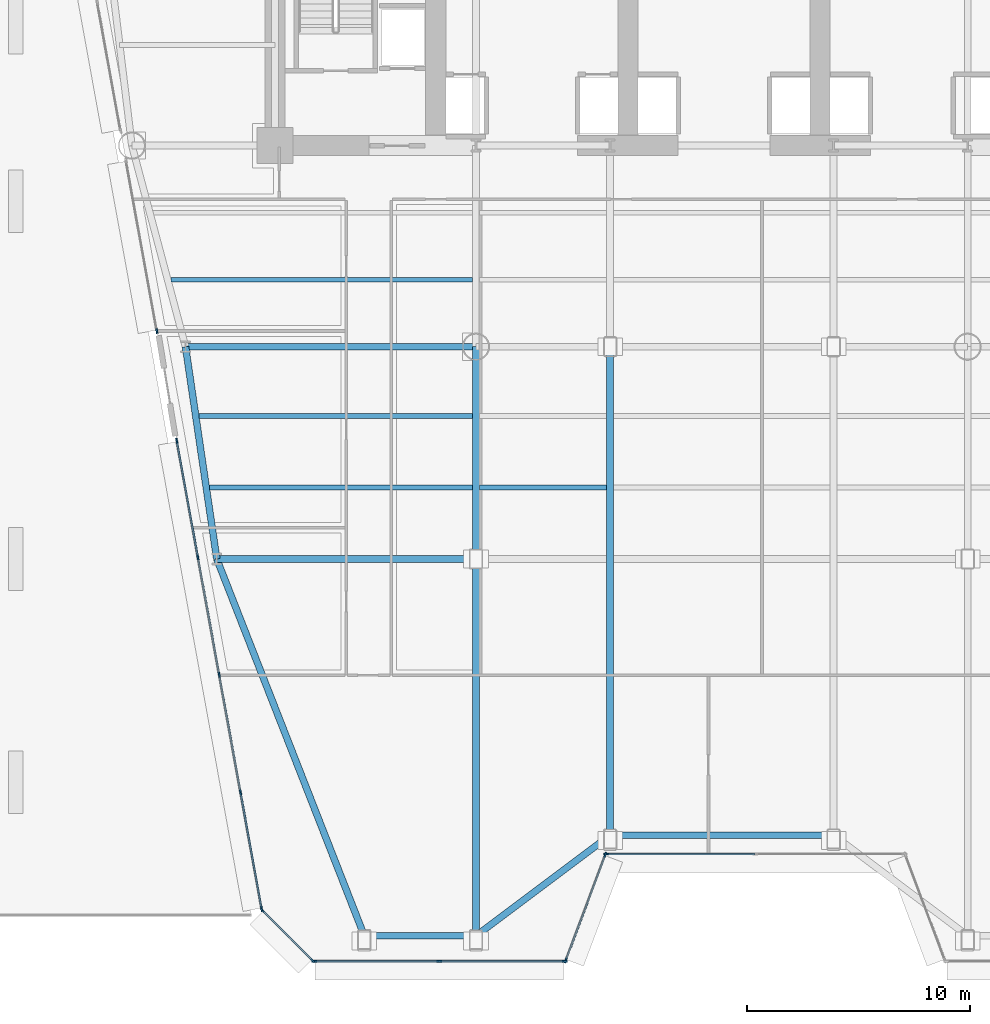
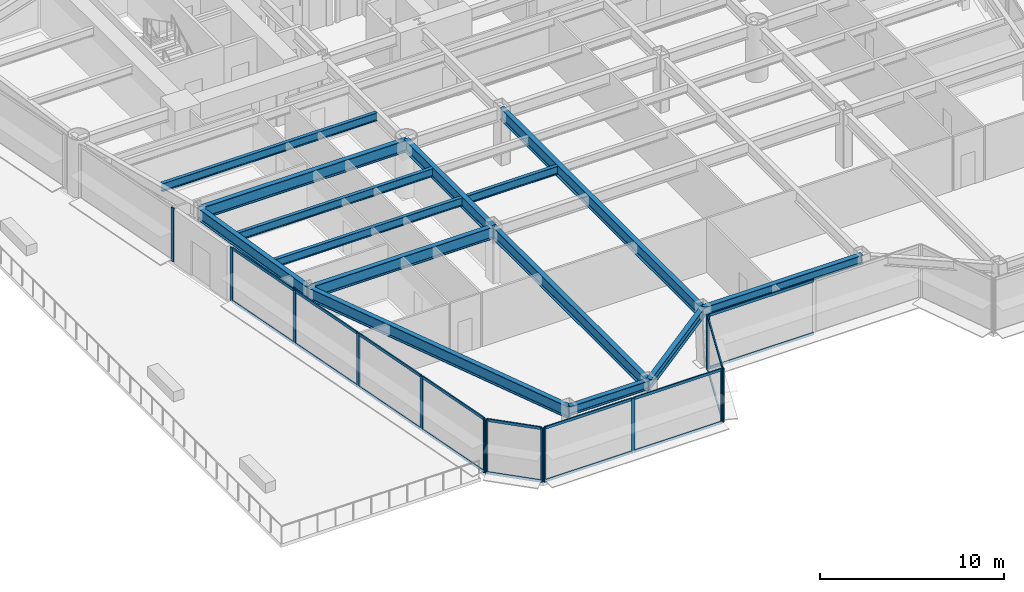
# One storey, part 2 of 14: 32 members, 14 beams, 6 elements without a shape of their own.
"""IFC4 building model written with IfcOpenShell, lengths in metres."""

from ifc_helpers import new_model, si_unit, direction, frame, origin, origin_2d, place, context, subcontext, project, spatial, rectangle, i_section, extrude, source, transform, mapped, material, layer, layer_set, material_profile, profile_set, type_object, element, aggregate, save


model = new_model("IFC4")

# Units and contexts
model_context = context("Model", 3, precision=1e-05, world=origin(), true_north=direction((0.0, 1.0)))
body_context = subcontext(model_context, "Body", "Model", "MODEL_VIEW")
ifc_project = project(units=[si_unit("LENGTHUNIT", "METRE"), si_unit("AREAUNIT", "SQUARE_METRE"), si_unit("VOLUMEUNIT", "CUBIC_METRE"), si_unit("PLANEANGLEUNIT", "RADIAN"), si_unit("MASSUNIT", "GRAM", prefix="KILO")], contexts=[model_context])

# Site, building, storey
site_placement = place(None, origin())
site = spatial("IfcSite", under=ifc_project, at=site_placement, CompositionType="ELEMENT")
building_placement = place(site_placement, origin())
building = spatial("IfcBuilding", under=site, at=building_placement, Name="Vaeldorn Concourse Tower", CompositionType="ELEMENT")
storey_placement = place(building_placement, frame((0.0, 0.0, 18.800048828125)))
storey = spatial("IfcBuildingStorey", under=building, at=storey_placement, Name="L04", CompositionType="ELEMENT", Elevation=18.800048828125)

# Beams
ifc_material_1 = material(Name="Steel S355", Category="steel")
ifc_material_profile_1 = material_profile(ifc_material_1, i_section(OverallWidth=0.300048828125, OverallDepth=0.800048828125, WebThickness=0.017578125, FlangeThickness=0.032958984375, FilletRadius=0.030029296875, at=origin_2d()), Name="HEB 800")
ifc_profile_set_1 = profile_set([ifc_material_profile_1], Name="Steel S355")
beam_type_1 = type_object("IfcBeamType", Name="BM-PG-HEB800", PredefinedType="BEAM", material=ifc_profile_set_1)
shared_shape_1 = source(origin(), body_context, "Body", "SweptSolid", [
    extrude(i_section(OverallWidth=0.300048828125, OverallDepth=0.800048828125, WebThickness=0.017578125, FlangeThickness=0.032958984375, FilletRadius=0.030029296875, at=origin_2d()), origin(), (0.0, 0.0, 1.0), 13.0),
])
beam_1_placement = place(storey_placement, frame((10.0, 27.5, 3.179931640625), z_axis=(1.0, 0.0, 0.0), x_axis=(0.0, 1.0, 0.0)))
element("IfcBeam", 1, at=beam_1_placement, inside=storey, type_object=beam_type_1, Name="Beam BM-L04-C-FLW1-C-TW1", PredefinedType="BEAM", context=body_context, shape_type="MappedRepresentation", body=[
    mapped(shared_shape_1, transform((0.0, 0.0, 0.0), scale=1.0)),
])
ifc_material_profile_2 = material_profile(ifc_material_1, i_section(OverallWidth=0.300048828125, OverallDepth=0.60009765625, WebThickness=0.015380859375, FlangeThickness=0.030029296875, FilletRadius=0.027099609375, at=origin_2d()), Name="HEB 600")
ifc_profile_set_2 = profile_set([ifc_material_profile_2], Name="Steel S355")
beam_type_2 = type_object("IfcBeamType", Name="BM-SP-HEB600", PredefinedType="SPANDREL", material=ifc_profile_set_2)
shared_shape_2 = source(origin(), body_context, "Body", "SweptSolid", [
    extrude(i_section(OverallWidth=0.300048828125, OverallDepth=0.60009765625, WebThickness=0.015380859375, FlangeThickness=0.030029296875, FilletRadius=0.027099609375, at=origin_2d()), origin(), (0.0, 0.0, 1.0), 5.0),
])
beam_2_placement = place(storey_placement, frame((18.0, 1.13916015625, 3.280029296875), z_axis=(1.0, 0.0, 0.0), x_axis=(0.0, 1.0, 0.0)))
element("IfcBeam", 2, at=beam_2_placement, inside=storey, type_object=beam_type_2, Name="Beam BM-L04-C-SF1-C-SF2", PredefinedType="SPANDREL", context=body_context, shape_type="MappedRepresentation", body=[
    mapped(shared_shape_2, transform((0.0, 0.0, 0.0), scale=1.0)),
])
shared_shape_3 = source(origin(), body_context, "Body", "SweptSolid", [
    extrude(i_section(OverallWidth=0.300048828125, OverallDepth=0.60009765625, WebThickness=0.015380859375, FlangeThickness=0.030029296875, FilletRadius=0.027099609375, at=origin_2d()), origin(), (0.0, 0.0, 1.0), 7.5),
])
beam_3_placement = place(storey_placement, frame((23.0, 1.13916015625, 3.280029296875), z_axis=(0.8, 0.6, 0.0), x_axis=(-0.6, 0.8, 0.0)))
element("IfcBeam", 3, at=beam_3_placement, inside=storey, type_object=beam_type_2, Name="Beam BM-L04-C-SF2-C-SF3", PredefinedType="SPANDREL", context=body_context, shape_type="MappedRepresentation", body=[
    mapped(shared_shape_3, transform((0.0, 0.0, 0.0), scale=1.0)),
])
shared_shape_4 = source(origin(), body_context, "Body", "SweptSolid", [
    extrude(i_section(OverallWidth=0.300048828125, OverallDepth=0.60009765625, WebThickness=0.015380859375, FlangeThickness=0.030029296875, FilletRadius=0.027099609375, at=origin_2d()), origin(), (0.0, 0.0, 1.0), 10.0),
])
beam_4_placement = place(storey_placement, frame((29.0, 5.63916015625, 3.280029296875), z_axis=(1.0, 0.0, 0.0), x_axis=(0.0, 1.0, 0.0)))
element("IfcBeam", 4, at=beam_4_placement, inside=storey, type_object=beam_type_2, Name="Beam BM-L04-C-SF3-C-SF4", PredefinedType="SPANDREL", context=body_context, shape_type="MappedRepresentation", body=[
    mapped(shared_shape_4, transform((0.0, 0.0, 0.0), scale=1.0)),
])
shared_shape_5 = source(origin(), body_context, "Body", "SweptSolid", [
    extrude(i_section(OverallWidth=0.300048828125, OverallDepth=0.800048828125, WebThickness=0.017578125, FlangeThickness=0.032958984375, FilletRadius=0.030029296875, at=origin_2d()), origin(), (0.0, 0.0, 1.0), 9.6025390625),
])
beam_5_placement = place(storey_placement, frame((10.0, 27.5, 3.179931640625), z_axis=(0.145783835977, -0.989316467652, 0.0), x_axis=(0.989316467652, 0.145783835977, 0.0)))
element("IfcBeam", 5, at=beam_5_placement, inside=storey, type_object=beam_type_1, Name="Beam BM-L04-C-FLW1-C-FLW2", PredefinedType="BEAM", context=body_context, shape_type="MappedRepresentation", body=[
    mapped(shared_shape_5, transform((0.0, 0.0, 0.0), scale=1.0)),
])
shared_shape_6 = source(origin(), body_context, "Body", "SweptSolid", [
    extrude(i_section(OverallWidth=0.300048828125, OverallDepth=0.800048828125, WebThickness=0.017578125, FlangeThickness=0.032958984375, FilletRadius=0.030029296875, at=origin_2d()), origin(), (0.0, 0.0, 1.0), 11.60009765625),
])
beam_6_placement = place(storey_placement, frame((11.39990234375, 18.0, 3.179931640625), z_axis=(1.0, 0.0, 0.0), x_axis=(0.0, 1.0, 0.0)))
element("IfcBeam", 6, at=beam_6_placement, inside=storey, type_object=beam_type_1, Name="Beam BM-L04-C-FLW2-C-TW5", PredefinedType="BEAM", context=body_context, shape_type="MappedRepresentation", body=[
    mapped(shared_shape_6, transform((0.0, 0.0, 0.0), scale=1.0)),
])
shared_shape_7 = source(origin(), body_context, "Body", "SweptSolid", [
    extrude(i_section(OverallWidth=0.300048828125, OverallDepth=0.800048828125, WebThickness=0.017578125, FlangeThickness=0.032958984375, FilletRadius=0.030029296875, at=origin_2d()), origin(), (0.0, 0.0, 1.0), 9.5),
])
beam_7_placement = place(storey_placement, frame((23.0, 18.0, 3.179931640625), z_axis=(0.0, 1.0, 0.0), x_axis=(-1.0, 0.0, 0.0)))
element("IfcBeam", 7, at=beam_7_placement, inside=storey, type_object=beam_type_1, Name="Beam BM-L04-C-TW5-C-TW1", PredefinedType="BEAM", context=body_context, shape_type="MappedRepresentation", body=[
    mapped(shared_shape_7, transform((0.0, 0.0, 0.0), scale=1.0)),
])
shared_shape_8 = source(origin(), body_context, "Body", "SweptSolid", [
    extrude(i_section(OverallWidth=0.300048828125, OverallDepth=0.800048828125, WebThickness=0.017578125, FlangeThickness=0.032958984375, FilletRadius=0.030029296875, at=origin_2d()), origin(), (0.0, 0.0, 1.0), 18.106689453125),
])
beam_8_placement = place(storey_placement, frame((18.0, 1.13916015625, 3.179931640625), z_axis=(-0.36451322626, 0.931198210845, 0.0), x_axis=(-0.931198210845, -0.36451322626, 0.0)))
element("IfcBeam", 8, at=beam_8_placement, inside=storey, type_object=beam_type_1, Name="Beam BM-L04-C-SF1-C-FLW2", PredefinedType="BEAM", context=body_context, shape_type="MappedRepresentation", body=[
    mapped(shared_shape_8, transform((0.0, 0.0, 0.0), scale=1.0)),
])
shared_shape_9 = source(origin(), body_context, "Body", "SweptSolid", [
    extrude(i_section(OverallWidth=0.300048828125, OverallDepth=0.800048828125, WebThickness=0.017578125, FlangeThickness=0.032958984375, FilletRadius=0.030029296875, at=origin_2d()), origin(), (0.0, 0.0, 1.0), 16.86083984375),
])
beam_9_placement = place(storey_placement, frame((23.0, 1.13916015625, 3.179931640625), z_axis=(0.0, 1.0, 0.0), x_axis=(-1.0, 0.0, 0.0)))
element("IfcBeam", 9, at=beam_9_placement, inside=storey, type_object=beam_type_1, Name="Beam BM-L04-C-SF2-C-TW5", PredefinedType="BEAM", context=body_context, shape_type="MappedRepresentation", body=[
    mapped(shared_shape_9, transform((0.0, 0.0, 0.0), scale=1.0)),
])
shared_shape_10 = source(origin(), body_context, "Body", "SweptSolid", [
    extrude(i_section(OverallWidth=0.300048828125, OverallDepth=0.800048828125, WebThickness=0.017578125, FlangeThickness=0.032958984375, FilletRadius=0.030029296875, at=origin_2d()), origin(), (0.0, 0.0, 1.0), 21.86083984375),
])
beam_10_placement = place(storey_placement, frame((29.0, 5.63916015625, 3.179931640625), z_axis=(0.0, 1.0, 0.0), x_axis=(-1.0, 0.0, 0.0)))
element("IfcBeam", 10, at=beam_10_placement, inside=storey, type_object=beam_type_1, Name="Beam BM-L04-C-SF3-C-TW2", PredefinedType="BEAM", context=body_context, shape_type="MappedRepresentation", body=[
    mapped(shared_shape_10, transform((0.0, 0.0, 0.0), scale=1.0)),
])
ifc_material_profile_3 = material_profile(ifc_material_1, i_section(OverallWidth=0.2099609375, OverallDepth=0.550048828125, WebThickness=0.010986328125, FlangeThickness=0.01708984375, FilletRadius=0.02392578125, at=origin_2d()), Name="IPE 550")
ifc_profile_set_3 = profile_set([ifc_material_profile_3], Name="Steel S355")
beam_type_3 = type_object("IfcBeamType", Name="BM-JS-IPE550", PredefinedType="JOIST", material=ifc_profile_set_3)
shared_shape_11 = source(origin(), body_context, "Body", "SweptSolid", [
    extrude(i_section(OverallWidth=0.2099609375, OverallDepth=0.550048828125, WebThickness=0.010986328125, FlangeThickness=0.01708984375, FilletRadius=0.02392578125, at=origin_2d()), origin(), (0.0, 0.0, 1.0), 11.771728515625),
])
beam_11_placement = place(storey_placement, frame((11.078369140625, 21.199951171875, 3.304931640625), z_axis=(1.0, 0.0, 0.0), x_axis=(0.0, 1.0, 0.0)))
element("IfcBeam", 11, at=beam_11_placement, inside=storey, type_object=beam_type_3, Name="Beam JS-L04-W1-212", PredefinedType="JOIST", context=body_context, shape_type="MappedRepresentation", body=[
    mapped(shared_shape_11, transform((0.0, 0.0, 0.0), scale=1.0)),
])
shared_shape_12 = source(origin(), body_context, "Body", "SweptSolid", [
    extrude(i_section(OverallWidth=0.2099609375, OverallDepth=0.550048828125, WebThickness=0.010986328125, FlangeThickness=0.01708984375, FilletRadius=0.02392578125, at=origin_2d()), origin(), (0.0, 0.0, 1.0), 5.7001953125),
])
beam_12_placement = place(storey_placement, frame((23.14990234375, 21.199951171875, 3.304931640625), z_axis=(1.0, 0.0, 0.0), x_axis=(0.0, 1.0, 0.0)))
element("IfcBeam", 12, at=beam_12_placement, inside=storey, type_object=beam_type_3, Name="Beam JS-L04-W2-212", PredefinedType="JOIST", context=body_context, shape_type="MappedRepresentation", body=[
    mapped(shared_shape_12, transform((0.0, 0.0, 0.0), scale=1.0)),
])
shared_shape_13 = source(origin(), body_context, "Body", "SweptSolid", [
    extrude(i_section(OverallWidth=0.2099609375, OverallDepth=0.550048828125, WebThickness=0.010986328125, FlangeThickness=0.01708984375, FilletRadius=0.02392578125, at=origin_2d()), origin(), (0.0, 0.0, 1.0), 12.243408203125),
])
beam_13_placement = place(storey_placement, frame((10.606689453125, 24.39990234375, 3.304931640625), z_axis=(1.0, 0.0, 0.0), x_axis=(0.0, 1.0, 0.0)))
element("IfcBeam", 13, at=beam_13_placement, inside=storey, type_object=beam_type_3, Name="Beam JS-L04-W1-244", PredefinedType="JOIST", context=body_context, shape_type="MappedRepresentation", body=[
    mapped(shared_shape_13, transform((0.0, 0.0, 0.0), scale=1.0)),
])
shared_shape_14 = source(origin(), body_context, "Body", "SweptSolid", [
    extrude(i_section(OverallWidth=0.2099609375, OverallDepth=0.550048828125, WebThickness=0.010986328125, FlangeThickness=0.01708984375, FilletRadius=0.02392578125, at=origin_2d()), origin(), (0.0, 0.0, 1.0), 13.5),
])
beam_14_placement = place(storey_placement, frame((9.35009765625, 30.5, 3.304931640625), z_axis=(1.0, 0.0, 0.0), x_axis=(0.0, 1.0, 0.0)))
element("IfcBeam", 14, at=beam_14_placement, inside=storey, type_object=beam_type_3, Name="Beam JS-L04-W1-305", PredefinedType="JOIST", context=body_context, shape_type="MappedRepresentation", body=[
    mapped(shared_shape_14, transform((0.0, 0.0, 0.0), scale=1.0)),
])

# Curtain wall, members
ifc_material_2 = material(Name="Anodised Bronze Aluminium", Category="aluminium")
ifc_layer = layer(ifc_material_2, 0.2099609375)
ifc_layer_set = layer_set([ifc_layer], Name="Anodised Bronze Aluminium")
curtain_wall_type = type_object("IfcCurtainWallType", Name="CW-SYS-06", PredefinedType="NOTDEFINED", material=ifc_layer_set)
curtain_wall_1_placement = place(storey_placement, origin())
curtain_wall_1 = element("IfcCurtainWall", 15, at=curtain_wall_1_placement, inside=storey, type_object=curtain_wall_type, Name="Unitised Curtain Wall CW-L04-E01-1", PredefinedType="NOTDEFINED")
ifc_material_profile_4 = material_profile(ifc_material_2, rectangle(XDim=0.074951171875, YDim=0.219970703125, at=origin_2d()), Name="CWM 75x220")
ifc_profile_set_4 = profile_set([ifc_material_profile_4], Name="Anodised Bronze Aluminium")
member_type_1 = type_object("IfcMemberType", Name="CWM-BRONZE-220", PredefinedType="MULLION", material=ifc_profile_set_4)
shared_shape_15 = source(origin(), body_context, "Body", "SweptSolid", [
    extrude(rectangle(XDim=0.074951171875, YDim=0.219970703125, at=origin_2d()), origin(), (0.0, 0.0, 1.0), 3.579833984375),
])
member_1_placement = place(storey_placement, frame((15.75244140625, 0.0, 0.0), z_axis=(0.0, 0.0, 1.0), x_axis=(0.0, 1.0, 0.0)))
member_1 = element("IfcMember", 16, at=member_1_placement, type_object=member_type_1, Name="CW-06 mullion 1", PredefinedType="MULLION", context=body_context, shape_type="MappedRepresentation", body=[
    mapped(shared_shape_15, transform((0.0, 0.0, 0.0), scale=1.0)),
])
member_2_placement = place(storey_placement, frame((21.357421875, 0.0, 0.0), z_axis=(0.0, 0.0, 1.0), x_axis=(0.0, 1.0, 0.0)))
member_2 = element("IfcMember", 17, at=member_2_placement, type_object=member_type_1, Name="CW-06 mullion 2", PredefinedType="MULLION", context=body_context, shape_type="MappedRepresentation", body=[
    mapped(shared_shape_15, transform((0.0, 0.0, 0.0), scale=1.0)),
])
member_3_placement = place(storey_placement, frame((26.96240234375, 0.0, 0.0), z_axis=(0.0, 0.0, 1.0), x_axis=(0.0, 1.0, 0.0)))
member_3 = element("IfcMember", 18, at=member_3_placement, type_object=member_type_1, Name="CW-06 mullion 3", PredefinedType="MULLION", context=body_context, shape_type="MappedRepresentation", body=[
    mapped(shared_shape_15, transform((0.0, 0.0, 0.0), scale=1.0)),
])

curtain_wall_2_placement = place(storey_placement, origin())
curtain_wall_2 = element("IfcCurtainWall", 19, at=curtain_wall_2_placement, inside=storey, type_object=curtain_wall_type, Name="Unitised Curtain Wall CW-L04-E02-1", PredefinedType="NOTDEFINED")
member_4_placement = place(storey_placement, frame((27.01318359375, 0.03515625, 0.0), z_axis=(0.0, 0.0, 1.0), x_axis=(-0.936329177566, 0.351123441595, 0.0)))
member_4 = element("IfcMember", 20, at=member_4_placement, type_object=member_type_1, Name="CW-06 mullion 1", PredefinedType="MULLION", context=body_context, shape_type="MappedRepresentation", body=[
    mapped(shared_shape_15, transform((0.0, 0.0, 0.0), scale=1.0)),
])
member_5_placement = place(storey_placement, frame((28.786865234375, 4.764892578125, 0.0), z_axis=(0.0, 0.0, 1.0), x_axis=(-0.936329177566, 0.351123441595, 0.0)))
member_5 = element("IfcMember", 21, at=member_5_placement, type_object=member_type_1, Name="CW-06 mullion 2", PredefinedType="MULLION", context=body_context, shape_type="MappedRepresentation", body=[
    mapped(shared_shape_15, transform((0.0, 0.0, 0.0), scale=1.0)),
])

# Curtain wall, member
curtain_wall_3_placement = place(storey_placement, origin())
curtain_wall_3 = element("IfcCurtainWall", 22, at=curtain_wall_3_placement, inside=storey, type_object=curtain_wall_type, Name="Unitised Curtain Wall CW-L04-E03-1", PredefinedType="NOTDEFINED")
member_6_placement = place(storey_placement, frame((28.83740234375, 4.800048828125, 0.0), z_axis=(0.0, 0.0, 1.0), x_axis=(0.0, 1.0, 0.0)))
member_6 = element("IfcMember", 23, at=member_6_placement, type_object=member_type_1, Name="CW-06 mullion 1", PredefinedType="MULLION", context=body_context, shape_type="MappedRepresentation", body=[
    mapped(shared_shape_15, transform((0.0, 0.0, 0.0), scale=1.0)),
])

curtain_wall_4_placement = place(storey_placement, origin())
curtain_wall_4 = element("IfcCurtainWall", 24, at=curtain_wall_4_placement, inside=storey, type_object=curtain_wall_type, Name="Unitised Curtain Wall CW-L04-E11-2", PredefinedType="NOTDEFINED")
member_7_placement = place(storey_placement, frame((8.717529296875, 28.2021484375, 0.0), z_axis=(0.0, 0.0, 1.0), x_axis=(0.983950207117, 0.178443240034, 0.0)))
member_7 = element("IfcMember", 25, at=member_7_placement, type_object=member_type_1, Name="CW-06 mullion 2", PredefinedType="MULLION", context=body_context, shape_type="MappedRepresentation", body=[
    mapped(shared_shape_15, transform((0.0, 0.0, 0.0), scale=1.0)),
])
aggregate(curtain_wall_4, [member_7])

# Curtain wall, members
curtain_wall_5_placement = place(storey_placement, origin())
curtain_wall_5 = element("IfcCurtainWall", 26, at=curtain_wall_5_placement, inside=storey, type_object=curtain_wall_type, Name="Unitised Curtain Wall CW-L04-E11-3", PredefinedType="NOTDEFINED")
member_8_placement = place(storey_placement, frame((9.607421875, 23.294677734375, 0.0), z_axis=(0.0, 0.0, 1.0), x_axis=(0.983949757326, 0.1784457202, 0.0)))
member_8 = element("IfcMember", 27, at=member_8_placement, type_object=member_type_1, Name="CW-06 mullion 1", PredefinedType="MULLION", context=body_context, shape_type="MappedRepresentation", body=[
    mapped(shared_shape_15, transform((0.0, 0.0, 0.0), scale=1.0)),
])
member_9_placement = place(storey_placement, frame((10.554443359375, 18.07373046875, 0.0), z_axis=(0.0, 0.0, 1.0), x_axis=(0.983949757326, 0.1784457202, 0.0)))
member_9 = element("IfcMember", 28, at=member_9_placement, type_object=member_type_1, Name="CW-06 mullion 2", PredefinedType="MULLION", context=body_context, shape_type="MappedRepresentation", body=[
    mapped(shared_shape_15, transform((0.0, 0.0, 0.0), scale=1.0)),
])
member_10_placement = place(storey_placement, frame((11.5078125, 12.815673828125, 0.0), z_axis=(0.0, 0.0, 1.0), x_axis=(0.983949757326, 0.1784457202, 0.0)))
member_10 = element("IfcMember", 29, at=member_10_placement, type_object=member_type_1, Name="CW-06 mullion 3", PredefinedType="MULLION", context=body_context, shape_type="MappedRepresentation", body=[
    mapped(shared_shape_15, transform((0.0, 0.0, 0.0), scale=1.0)),
])
member_11_placement = place(storey_placement, frame((12.46142578125, 7.557861328125, 0.0), z_axis=(0.0, 0.0, 1.0), x_axis=(0.983949757326, 0.1784457202, 0.0)))
member_11 = element("IfcMember", 30, at=member_11_placement, type_object=member_type_1, Name="CW-06 mullion 4", PredefinedType="MULLION", context=body_context, shape_type="MappedRepresentation", body=[
    mapped(shared_shape_15, transform((0.0, 0.0, 0.0), scale=1.0)),
])
member_12_placement = place(storey_placement, frame((13.408203125, 2.3369140625, 0.0), z_axis=(0.0, 0.0, 1.0), x_axis=(0.983949757326, 0.1784457202, 0.0)))
member_12 = element("IfcMember", 31, at=member_12_placement, type_object=member_type_1, Name="CW-06 mullion 5", PredefinedType="MULLION", context=body_context, shape_type="MappedRepresentation", body=[
    mapped(shared_shape_15, transform((0.0, 0.0, 0.0), scale=1.0)),
])

curtain_wall_6_placement = place(storey_placement, origin())
curtain_wall_6 = element("IfcCurtainWall", 32, at=curtain_wall_6_placement, inside=storey, type_object=curtain_wall_type, Name="Unitised Curtain Wall CW-L04-E12-1", PredefinedType="NOTDEFINED")
member_13_placement = place(storey_placement, frame((13.44140625, 2.2734375, 0.0), z_axis=(0.0, 0.0, 1.0), x_axis=(0.707106781187, 0.707106781187, 0.0)))
member_13 = element("IfcMember", 33, at=member_13_placement, type_object=member_type_1, Name="CW-06 mullion 1", PredefinedType="MULLION", context=body_context, shape_type="MappedRepresentation", body=[
    mapped(shared_shape_15, transform((0.0, 0.0, 0.0), scale=1.0)),
])
member_14_placement = place(storey_placement, frame((15.6884765625, 0.026611328125, 0.0), z_axis=(0.0, 0.0, 1.0), x_axis=(0.707106781187, 0.707106781187, 0.0)))
member_14 = element("IfcMember", 34, at=member_14_placement, type_object=member_type_1, Name="CW-06 mullion 2", PredefinedType="MULLION", context=body_context, shape_type="MappedRepresentation", body=[
    mapped(shared_shape_15, transform((0.0, 0.0, 0.0), scale=1.0)),
])

# Member
ifc_material_profile_5 = material_profile(ifc_material_2, rectangle(XDim=0.074951171875, YDim=0.179931640625, at=origin_2d()), Name="CWT 75x180")
ifc_profile_set_5 = profile_set([ifc_material_profile_5], Name="Anodised Bronze Aluminium")
member_type_2 = type_object("IfcMemberType", Name="CWT-BRONZE-180", PredefinedType="USERDEFINED", material=ifc_profile_set_5)
shared_shape_16 = source(origin(), body_context, "Body", "SweptSolid", [
    extrude(rectangle(XDim=0.074951171875, YDim=0.179931640625, at=origin_2d()), origin(), (0.0, 0.0, 1.0), 5.530029296875),
])
member_15_placement = place(storey_placement, frame((15.7900390625, 0.0, 0.037353515625), z_axis=(1.0, 0.0, 0.0), x_axis=(0.0, 1.0, 0.0)))
member_15 = element("IfcMember", 35, at=member_15_placement, type_object=member_type_2, Name="CW-06 transom 1.1", ObjectType="TRANSOM", PredefinedType="USERDEFINED", context=body_context, shape_type="MappedRepresentation", body=[
    mapped(shared_shape_16, transform((0.0, 0.0, 0.0), scale=1.0)),
])

member_16_placement = place(storey_placement, frame((15.7900390625, 0.0, 3.54248046875), z_axis=(1.0, 0.0, 0.0), x_axis=(0.0, 1.0, 0.0)))
member_16 = element("IfcMember", 36, at=member_16_placement, type_object=member_type_2, Name="CW-06 transom 1.2", ObjectType="TRANSOM", PredefinedType="USERDEFINED", context=body_context, shape_type="MappedRepresentation", body=[
    mapped(shared_shape_16, transform((0.0, 0.0, 0.0), scale=1.0)),
])

member_17_placement = place(storey_placement, frame((21.39501953125, 0.0, 0.037353515625), z_axis=(1.0, 0.0, 0.0), x_axis=(0.0, 1.0, 0.0)))
member_17 = element("IfcMember", 37, at=member_17_placement, type_object=member_type_2, Name="CW-06 transom 2.1", ObjectType="TRANSOM", PredefinedType="USERDEFINED", context=body_context, shape_type="MappedRepresentation", body=[
    mapped(shared_shape_16, transform((0.0, 0.0, 0.0), scale=1.0)),
])

member_18_placement = place(storey_placement, frame((21.39501953125, 0.0, 3.54248046875), z_axis=(1.0, 0.0, 0.0), x_axis=(0.0, 1.0, 0.0)))
member_18 = element("IfcMember", 38, at=member_18_placement, type_object=member_type_2, Name="CW-06 transom 2.2", ObjectType="TRANSOM", PredefinedType="USERDEFINED", context=body_context, shape_type="MappedRepresentation", body=[
    mapped(shared_shape_16, transform((0.0, 0.0, 0.0), scale=1.0)),
])

aggregate(curtain_wall_1, [member_1, member_2, member_3, member_15, member_16, member_17, member_18])

shared_shape_17 = source(origin(), body_context, "Body", "SweptSolid", [
    extrude(rectangle(XDim=0.074951171875, YDim=0.179931640625, at=origin_2d()), origin(), (0.0, 0.0, 1.0), 4.976318359375),
])
member_19_placement = place(storey_placement, frame((27.0263671875, 0.0703125, 0.037353515625), z_axis=(0.351128818119, 0.936327161352, 0.0), x_axis=(-0.936327161352, 0.351128818119, 0.0)))
member_19 = element("IfcMember", 39, at=member_19_placement, type_object=member_type_2, Name="CW-06 transom 1.1", ObjectType="TRANSOM", PredefinedType="USERDEFINED", context=body_context, shape_type="MappedRepresentation", body=[
    mapped(shared_shape_17, transform((0.0, 0.0, 0.0), scale=1.0)),
])

member_20_placement = place(storey_placement, frame((27.0263671875, 0.0703125, 3.54248046875), z_axis=(0.351128818119, 0.936327161352, 0.0), x_axis=(-0.936327161352, 0.351128818119, 0.0)))
member_20 = element("IfcMember", 40, at=member_20_placement, type_object=member_type_2, Name="CW-06 transom 1.2", ObjectType="TRANSOM", PredefinedType="USERDEFINED", context=body_context, shape_type="MappedRepresentation", body=[
    mapped(shared_shape_17, transform((0.0, 0.0, 0.0), scale=1.0)),
])

aggregate(curtain_wall_2, [member_4, member_5, member_19, member_20])

shared_shape_18 = source(origin(), body_context, "Body", "SweptSolid", [
    extrude(rectangle(XDim=0.074951171875, YDim=0.179931640625, at=origin_2d()), origin(), (0.0, 0.0, 1.0), 6.58740234375),
])
member_21_placement = place(storey_placement, frame((28.875, 4.800048828125, 0.037353515625), z_axis=(1.0, 0.0, 0.0), x_axis=(0.0, 1.0, 0.0)))
member_21 = element("IfcMember", 41, at=member_21_placement, type_object=member_type_2, Name="CW-06 transom 1.1", ObjectType="TRANSOM", PredefinedType="USERDEFINED", context=body_context, shape_type="MappedRepresentation", body=[
    mapped(shared_shape_18, transform((0.0, 0.0, 0.0), scale=1.0)),
])

member_22_placement = place(storey_placement, frame((28.875, 4.800048828125, 3.54248046875), z_axis=(1.0, 0.0, 0.0), x_axis=(0.0, 1.0, 0.0)))
member_22 = element("IfcMember", 42, at=member_22_placement, type_object=member_type_2, Name="CW-06 transom 1.2", ObjectType="TRANSOM", PredefinedType="USERDEFINED", context=body_context, shape_type="MappedRepresentation", body=[
    mapped(shared_shape_18, transform((0.0, 0.0, 0.0), scale=1.0)),
])

aggregate(curtain_wall_3, [member_6, member_21, member_22])

shared_shape_19 = source(origin(), body_context, "Body", "SweptSolid", [
    extrude(rectangle(XDim=0.074951171875, YDim=0.179931640625, at=origin_2d()), origin(), (0.0, 0.0, 1.0), 3.102783203125),
])
member_23_placement = place(storey_placement, frame((13.468017578125, 2.2470703125, 0.037353515625), z_axis=(0.707067437368, -0.707146122816, 0.0), x_axis=(0.707146122816, 0.707067437368, 0.0)))
member_23 = element("IfcMember", 43, at=member_23_placement, type_object=member_type_2, Name="CW-06 transom 1.1", ObjectType="TRANSOM", PredefinedType="USERDEFINED", context=body_context, shape_type="MappedRepresentation", body=[
    mapped(shared_shape_19, transform((0.0, 0.0, 0.0), scale=1.0)),
])

member_24_placement = place(storey_placement, frame((13.468017578125, 2.2470703125, 3.54248046875), z_axis=(0.707067437368, -0.707146122816, 0.0), x_axis=(0.707146122816, 0.707067437368, 0.0)))
member_24 = element("IfcMember", 44, at=member_24_placement, type_object=member_type_2, Name="CW-06 transom 1.2", ObjectType="TRANSOM", PredefinedType="USERDEFINED", context=body_context, shape_type="MappedRepresentation", body=[
    mapped(shared_shape_19, transform((0.0, 0.0, 0.0), scale=1.0)),
])

aggregate(curtain_wall_6, [member_13, member_14, member_23, member_24])

shared_shape_20 = source(origin(), body_context, "Body", "SweptSolid", [
    extrude(rectangle(XDim=0.074951171875, YDim=0.179931640625, at=origin_2d()), origin(), (0.0, 0.0, 1.0), 5.231201171875),
])
member_25_placement = place(storey_placement, frame((9.6142578125, 23.2578125, 0.037353515625), z_axis=(0.178421326833, -0.98395418091, 0.0), x_axis=(0.98395418091, 0.178421326833, 0.0)))
member_25 = element("IfcMember", 45, at=member_25_placement, type_object=member_type_2, Name="CW-06 transom 1.1", ObjectType="TRANSOM", PredefinedType="USERDEFINED", context=body_context, shape_type="MappedRepresentation", body=[
    mapped(shared_shape_20, transform((0.0, 0.0, 0.0), scale=1.0)),
])

member_26_placement = place(storey_placement, frame((9.6142578125, 23.2578125, 3.54248046875), z_axis=(0.178421326833, -0.98395418091, 0.0), x_axis=(0.98395418091, 0.178421326833, 0.0)))
member_26 = element("IfcMember", 46, at=member_26_placement, type_object=member_type_2, Name="CW-06 transom 1.2", ObjectType="TRANSOM", PredefinedType="USERDEFINED", context=body_context, shape_type="MappedRepresentation", body=[
    mapped(shared_shape_20, transform((0.0, 0.0, 0.0), scale=1.0)),
])

member_27_placement = place(storey_placement, frame((12.46826171875, 7.52099609375, 0.037353515625), z_axis=(0.178421326833, -0.98395418091, 0.0), x_axis=(0.98395418091, 0.178421326833, 0.0)))
member_27 = element("IfcMember", 47, at=member_27_placement, type_object=member_type_2, Name="CW-06 transom 4.1", ObjectType="TRANSOM", PredefinedType="USERDEFINED", context=body_context, shape_type="MappedRepresentation", body=[
    mapped(shared_shape_20, transform((0.0, 0.0, 0.0), scale=1.0)),
])

member_28_placement = place(storey_placement, frame((12.46826171875, 7.52099609375, 3.54248046875), z_axis=(0.178421326833, -0.98395418091, 0.0), x_axis=(0.98395418091, 0.178421326833, 0.0)))
member_28 = element("IfcMember", 48, at=member_28_placement, type_object=member_type_2, Name="CW-06 transom 4.2", ObjectType="TRANSOM", PredefinedType="USERDEFINED", context=body_context, shape_type="MappedRepresentation", body=[
    mapped(shared_shape_20, transform((0.0, 0.0, 0.0), scale=1.0)),
])

shared_shape_21 = source(origin(), body_context, "Body", "SweptSolid", [
    extrude(rectangle(XDim=0.074951171875, YDim=0.179931640625, at=origin_2d()), origin(), (0.0, 0.0, 1.0), 5.2685546875),
])
member_29_placement = place(storey_placement, frame((10.56103515625, 18.03662109375, 0.037353515625), z_axis=(0.17844909843, -0.983949144656, 0.0), x_axis=(0.983949144656, 0.17844909843, 0.0)))
member_29 = element("IfcMember", 49, at=member_29_placement, type_object=member_type_2, Name="CW-06 transom 2.1", ObjectType="TRANSOM", PredefinedType="USERDEFINED", context=body_context, shape_type="MappedRepresentation", body=[
    mapped(shared_shape_21, transform((0.0, 0.0, 0.0), scale=1.0)),
])

member_30_placement = place(storey_placement, frame((10.56103515625, 18.03662109375, 3.54248046875), z_axis=(0.17844909843, -0.983949144656, 0.0), x_axis=(0.983949144656, 0.17844909843, 0.0)))
member_30 = element("IfcMember", 50, at=member_30_placement, type_object=member_type_2, Name="CW-06 transom 2.2", ObjectType="TRANSOM", PredefinedType="USERDEFINED", context=body_context, shape_type="MappedRepresentation", body=[
    mapped(shared_shape_21, transform((0.0, 0.0, 0.0), scale=1.0)),
])

member_31_placement = place(storey_placement, frame((11.5146484375, 12.77880859375, 0.037353515625), z_axis=(0.17844909843, -0.983949144656, 0.0), x_axis=(0.983949144656, 0.17844909843, 0.0)))
member_31 = element("IfcMember", 51, at=member_31_placement, type_object=member_type_2, Name="CW-06 transom 3.1", ObjectType="TRANSOM", PredefinedType="USERDEFINED", context=body_context, shape_type="MappedRepresentation", body=[
    mapped(shared_shape_21, transform((0.0, 0.0, 0.0), scale=1.0)),
])

member_32_placement = place(storey_placement, frame((11.5146484375, 12.77880859375, 3.54248046875), z_axis=(0.17844909843, -0.983949144656, 0.0), x_axis=(0.983949144656, 0.17844909843, 0.0)))
member_32 = element("IfcMember", 52, at=member_32_placement, type_object=member_type_2, Name="CW-06 transom 3.2", ObjectType="TRANSOM", PredefinedType="USERDEFINED", context=body_context, shape_type="MappedRepresentation", body=[
    mapped(shared_shape_21, transform((0.0, 0.0, 0.0), scale=1.0)),
])

aggregate(curtain_wall_5, [member_8, member_9, member_10, member_11, member_12, member_25, member_26, member_29, member_30, member_31, member_32, member_27, member_28])

save(model, "model.ifc")
